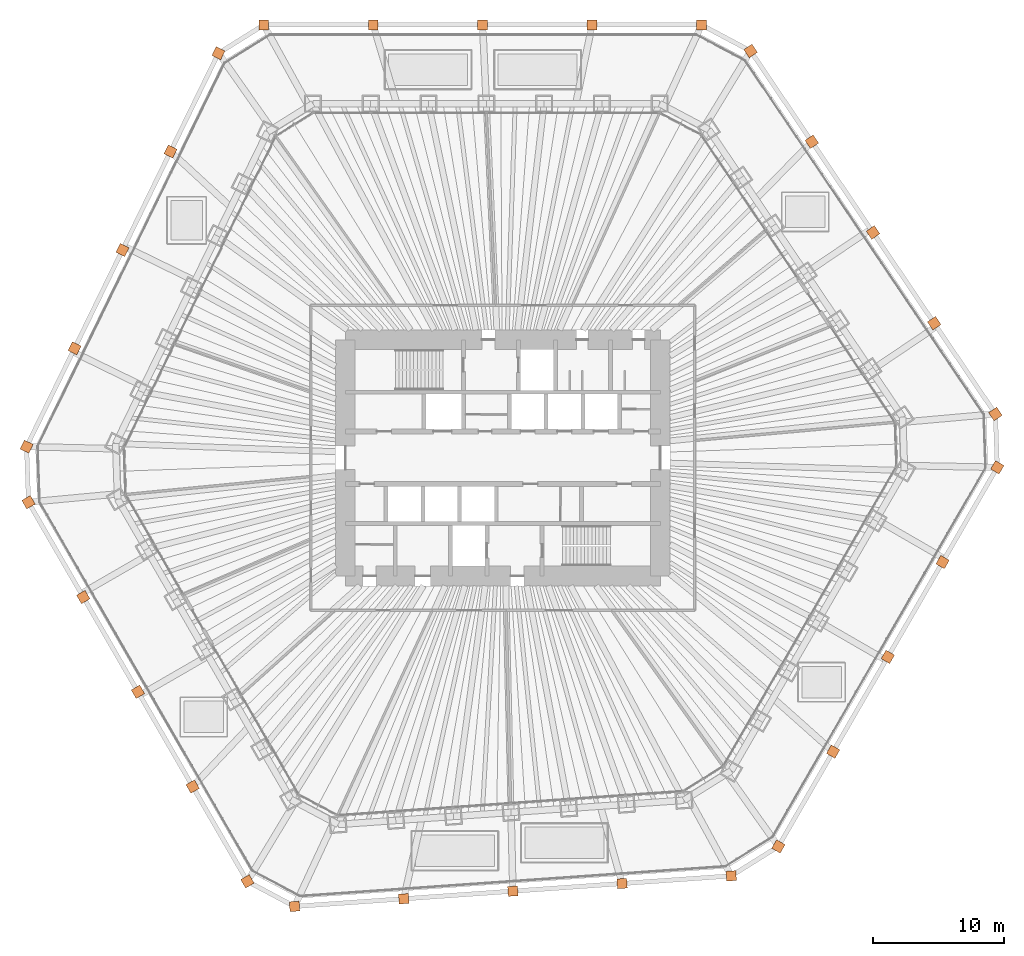
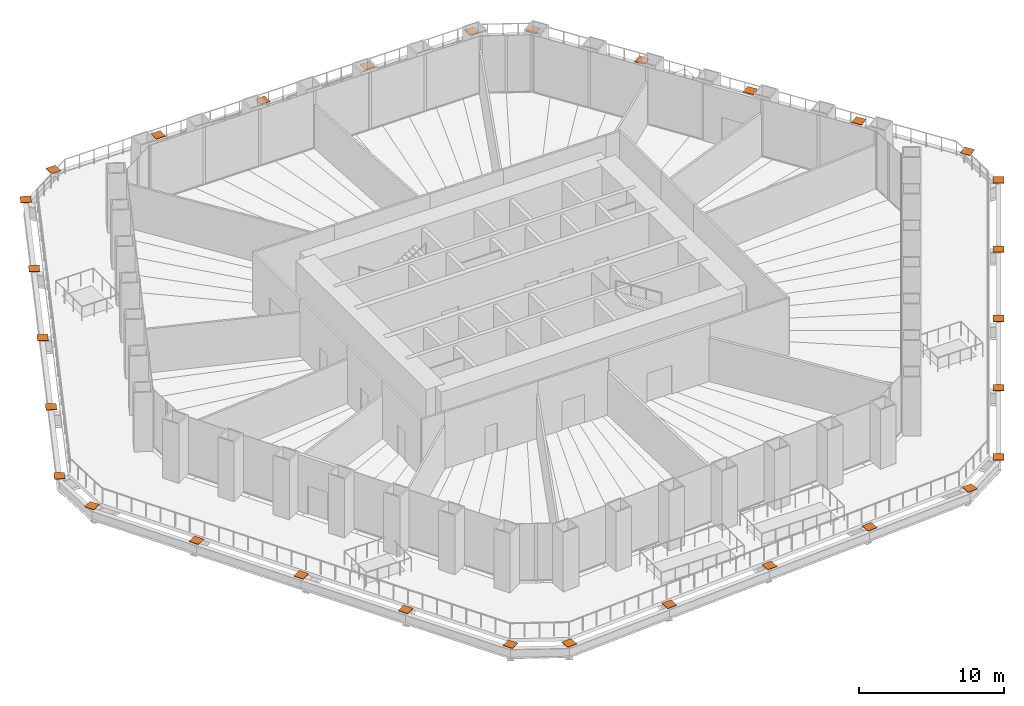
# One storey, part 20 of 20: 30 proxies.
"""IFC4 building model written with IfcOpenShell, lengths in metres."""

from ifc_helpers import new_model, si_unit, direction, frame, origin, origin_2d, place, context, subcontext, project, spatial, rectangle, extrude, material, material_profile, profile_set, type_object, element, save


model = new_model("IFC4")

# Units and contexts
model_context = context("Model", 3, precision=1e-05, world=origin(), true_north=direction((0.0, 1.0)))
body_context = subcontext(model_context, "Body", "Model", "MODEL_VIEW")
ifc_project = project(units=[si_unit("LENGTHUNIT", "METRE"), si_unit("AREAUNIT", "SQUARE_METRE"), si_unit("VOLUMEUNIT", "CUBIC_METRE"), si_unit("PLANEANGLEUNIT", "RADIAN"), si_unit("MASSUNIT", "GRAM", prefix="KILO")], contexts=[model_context])

# Site, building, storey
site_placement = place(None, origin())
site = spatial("IfcSite", under=ifc_project, at=site_placement, CompositionType="ELEMENT")
building_placement = place(site_placement, origin())
building = spatial("IfcBuilding", under=site, at=building_placement, Name="Qingtian Harvest Tower", CompositionType="ELEMENT")
storey_placement = place(building_placement, frame((0.0, 0.0, 17.0)))
storey = spatial("IfcBuildingStorey", under=building, at=storey_placement, Name="L03", CompositionType="ELEMENT", Elevation=17.0)

# Proxies
ifc_material = material(Name="Steel SM570MC", Category="steel")
ifc_material_profile = material_profile(ifc_material, rectangle(XDim=0.75, YDim=0.75, at=origin_2d()), Name="PL750X750X40")
ifc_profile_set = profile_set([ifc_material_profile], Name="Steel SM570MC")
building_element_proxy_type = type_object("IfcBuildingElementProxyType", Name="Column cap plate CP1 PL750X750X40", PredefinedType="NOTDEFINED", material=ifc_profile_set)
for number, where, z_axis, x_axis, name in (
    (1, (-18.220703125, 33.0, 0.0), (0.0, 0.0, 1.0), (-1.0, 0.0, 0.0), "Cap plate CP1 on Podium column PC1 N0"),
    (2, (-9.87890625, 33.0, 0.0), (0.0, 0.0, 1.0), (-1.0, 0.0, 0.0), "Cap plate CP1 on Podium column PC1 N1"),
    (3, (-1.537109375, 33.0, 0.0), (0.0, 0.0, 1.0), (-1.0, 0.0, 0.0), "Cap plate CP1 on Podium column PC1 N2"),
    (4, (6.8046875, 33.0, 0.0), (0.0, 0.0, 1.0), (-1.0, 0.0, 0.0), "Cap plate CP1 on Podium column PC1 N3"),
    (5, (18.888427734375, 31.01025390625, 0.0), (0.0, 0.0, 1.0), (-0.559192903471, 0.829037572555, 0.0), "Cap plate CP1 on Podium column PC1 NE0"),
    (6, (23.55322265625, 24.0947265625, 0.0), (0.0, 0.0, 1.0), (-0.559192903471, 0.829037572555, 0.0), "Cap plate CP1 on Podium column PC1 NE1"),
    (7, (28.2177734375, 17.178955078125, 0.0), (0.0, 0.0, 1.0), (-0.559192903471, 0.829037572555, 0.0), "Cap plate CP1 on Podium column PC1 NE2"),
    (8, (32.882568359375, 10.263427734375, 0.0), (0.0, 0.0, 1.0), (-0.559192903471, 0.829037572555, 0.0), "Cap plate CP1 on Podium column PC1 NE3"),
    (9, (37.689208984375, -0.720458984375, 0.0), (0.0, 0.0, 1.0), (0.5, 0.866025403784, 0.0), "Cap plate CP1 on Podium column PC1 SE0"),
    (10, (33.518310546875, -7.944580078125, 0.0), (0.0, 0.0, 1.0), (0.5, 0.866025403784, 0.0), "Cap plate CP1 on Podium column PC1 SE1"),
    (11, (29.347412109375, -15.168701171875, 0.0), (0.0, 0.0, 1.0), (0.5, 0.866025403784, 0.0), "Cap plate CP1 on Podium column PC1 SE2"),
    (12, (25.176513671875, -22.39306640625, 0.0), (0.0, 0.0, 1.0), (0.5, 0.866025403784, 0.0), "Cap plate CP1 on Podium column PC1 SE3"),
    (13, (17.411376953125, -31.863037109375, 0.0), (0.0, 0.0, 1.0), (0.99756405026, 0.069756473744, 0.0), "Cap plate CP1 on Podium column PC1 S0"),
    (14, (9.090087890625, -32.44482421875, 0.0), (0.0, 0.0, 1.0), (0.99756405026, 0.069756473744, 0.0), "Cap plate CP1 on Podium column PC1 S1"),
    (15, (0.7685546875, -33.02685546875, 0.0), (0.0, 0.0, 1.0), (0.99756405026, 0.069756473744, 0.0), "Cap plate CP1 on Podium column PC1 S2"),
    (16, (-7.552978515625, -33.608642578125, 0.0), (0.0, 0.0, 1.0), (0.99756405026, 0.069756473744, 0.0), "Cap plate CP1 on Podium column PC1 S3"),
    (17, (-19.468505859375, -32.279541015625, 0.0), (0.0, 0.0, 1.0), (0.5, -0.866025403784, 0.0), "Cap plate CP1 on Podium column PC1 SW0"),
    (18, (-23.639404296875, -25.055419921875, 0.0), (0.0, 0.0, 1.0), (0.5, -0.866025403784, 0.0), "Cap plate CP1 on Podium column PC1 SW1"),
    (19, (-27.810302734375, -17.831298828125, 0.0), (0.0, 0.0, 1.0), (0.5, -0.866025403784, 0.0), "Cap plate CP1 on Podium column PC1 SW2"),
    (20, (-31.981201171875, -10.60693359375, 0.0), (0.0, 0.0, 1.0), (0.5, -0.866025403784, 0.0), "Cap plate CP1 on Podium column PC1 SW3"),
    (21, (-36.300048828125, 0.852783203125, 0.0), (0.0, 0.0, 1.0), (-0.438371146789, -0.898794046299, 0.0), "Cap plate CP1 on Podium column PC1 NW0"),
    (22, (-32.64306640625, 8.350341796875, 0.0), (0.0, 0.0, 1.0), (-0.438371146789, -0.898794046299, 0.0), "Cap plate CP1 on Podium column PC1 NW1"),
    (23, (-28.986328125, 15.847900390625, 0.0), (0.0, 0.0, 1.0), (-0.438371146789, -0.898794046299, 0.0), "Cap plate CP1 on Podium column PC1 NW2"),
    (24, (-25.32958984375, 23.345458984375, 0.0), (0.0, 0.0, 1.0), (-0.438371146789, -0.898794046299, 0.0), "Cap plate CP1 on Podium column PC1 NW3"),
    (25, (15.146484375, 33.0, 0.0), (0.0, 0.0, 1.0), (-1.0, 0.0, 0.0), "Cap plate CP1 on Podium column PC1 N4"),
    (26, (37.547119140625, 3.34765625, 0.0), (0.0, 0.0, 1.0), (-0.559192903471, 0.829037572555, 0.0), "Cap plate CP1 on Podium column PC1 NE4"),
    (27, (21.005615234375, -29.6171875, 0.0), (0.0, 0.0, 1.0), (0.5, 0.866025403784, 0.0), "Cap plate CP1 on Podium column PC1 SE4"),
    (28, (-15.874267578125, -34.190673828125, 0.0), (0.0, 0.0, 1.0), (0.99756405026, 0.069756473744, 0.0), "Cap plate CP1 on Podium column PC1 S4"),
    (29, (-36.152099609375, -3.3828125, 0.0), (0.0, 0.0, 1.0), (0.5, -0.866025403784, 0.0), "Cap plate CP1 on Podium column PC1 SW4"),
    (30, (-21.6728515625, 30.8427734375, 0.0), (0.0, 0.0, 1.0), (-0.438371146789, -0.898794046299, 0.0), "Cap plate CP1 on Podium column PC1 NW4"),
):
    element("IfcBuildingElementProxy", number, at=place(storey_placement, frame(where, z_axis=z_axis, x_axis=x_axis)), inside=storey, type_object=building_element_proxy_type, Name=name, PredefinedType="NOTDEFINED", context=body_context, shape_type="SweptSolid", body=[
        extrude(rectangle(XDim=0.75, YDim=0.75, at=origin_2d()), origin(), (0.0, 0.0, 1.0), 0.0400390625),
    ])

save(model, "model.ifc")
